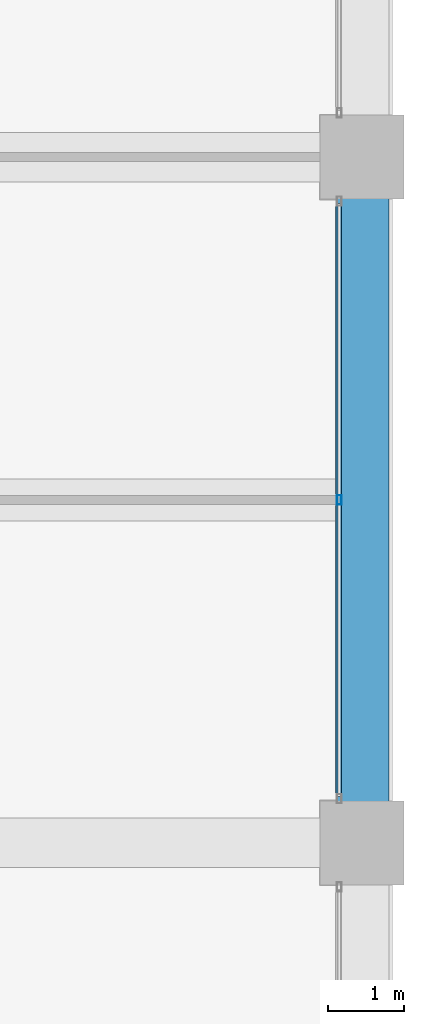
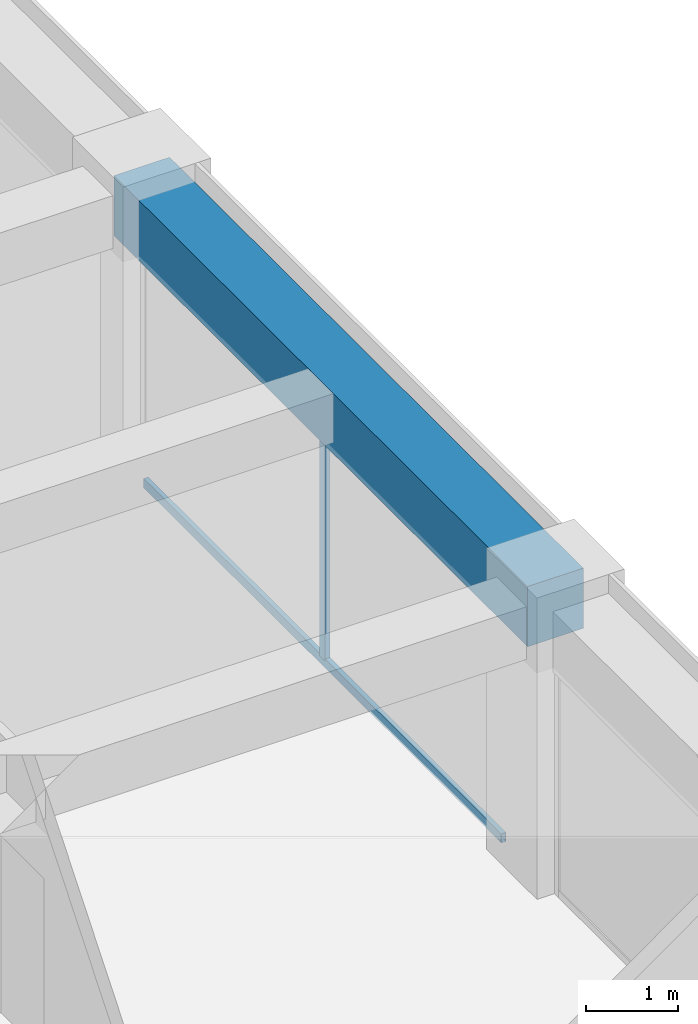
# One storey, part 25 of 44: 2 members, 1 beam, 1 element without a shape of its own.
"""IFC4 building model written with IfcOpenShell, lengths in metres."""

from ifc_helpers import new_model, si_unit, direction, frame, origin, origin_2d, place, context, subcontext, project, spatial, rectangle, hollow_rectangle, extrude, material, material_profile, profile_set, type_object, element, aggregate, save


model = new_model("IFC4")

# Units and contexts
model_context = context("Model", 3, precision=1e-05, world=origin(), true_north=direction((0.0, 1.0)))
body_context = subcontext(model_context, "Body", "Model", "MODEL_VIEW")
ifc_project = project(units=[si_unit("LENGTHUNIT", "METRE"), si_unit("AREAUNIT", "SQUARE_METRE"), si_unit("VOLUMEUNIT", "CUBIC_METRE"), si_unit("PLANEANGLEUNIT", "RADIAN"), si_unit("MASSUNIT", "GRAM", prefix="KILO")], contexts=[model_context])

# Site, building, storey
site_placement = place(None, origin())
site = spatial("IfcSite", under=ifc_project, at=site_placement, CompositionType="ELEMENT")
building_placement = place(site_placement, origin())
building = spatial("IfcBuilding", under=site, at=building_placement, Name="Zorevar Civic Tower", CompositionType="ELEMENT")
storey_placement = place(building_placement, frame((0.0, 0.0, 287.39990234375)))
storey = spatial("IfcBuildingStorey", under=building, at=storey_placement, Name="L70", CompositionType="ELEMENT", Elevation=287.39990234375)

# Curtain wall, members
ifc_material_1 = material(Name="Dark grey solar-control glass in black aluminium frame", Category="aluminium")
curtain_wall_type = type_object("IfcCurtainWallType", Name="Curtain wall CW5 top zone", PredefinedType="NOTDEFINED", material=ifc_material_1)
curtain_wall_placement = place(storey_placement, origin())
curtain_wall = element("IfcCurtainWall", 1, at=curtain_wall_placement, inside=storey, type_object=curtain_wall_type, Name="CW5 L70", PredefinedType="NOTDEFINED")
ifc_material_2 = material(Name="Aluminium, black anodised", Category="aluminium")
ifc_material_profile_1 = material_profile(ifc_material_2, hollow_rectangle(XDim=0.06005859375, YDim=0.1201171875, WallThickness=0.0029296875, at=origin_2d()), Name="AL 120x60x3")
ifc_profile_set_1 = profile_set([ifc_material_profile_1], Name="Aluminium, black anodised")
member_type_1 = type_object("IfcMemberType", Name="CW5 mullion AL 120x60x3", PredefinedType="MULLION", material=ifc_profile_set_1)
member_1_placement = place(storey_placement, frame((53.699951171875, 22.5, 0.06005859375), z_axis=(0.0, 0.0, 1.0), x_axis=(-1.0, 0.0, 0.0)))
member_1 = element("IfcMember", 2, at=member_1_placement, type_object=member_type_1, Name="CW5 mullion 2", PredefinedType="MULLION", context=body_context, shape_type="SweptSolid", body=[
    extrude(hollow_rectangle(XDim=0.06005859375, YDim=0.1201171875, WallThickness=0.0029296875, at=origin_2d()), origin(), (0.0, 0.0, 1.0), 2.89013671875),
])
ifc_material_3 = material(Name="Aluminium, black anodised", Category="aluminium")
ifc_material_profile_2 = material_profile(ifc_material_3, hollow_rectangle(XDim=0.06005859375, YDim=0.1201171875, WallThickness=0.0029296875, at=origin_2d()), Name="AL 120x60x3")
ifc_profile_set_2 = profile_set([ifc_material_profile_2], Name="Aluminium, black anodised")
member_type_2 = type_object("IfcMemberType", Name="CW5 transom AL 120x60x3", PredefinedType="USERDEFINED", material=ifc_profile_set_2)
member_2_placement = place(storey_placement, frame((53.699951171875, 18.610107421875, 0.030029296875), z_axis=(0.0, 1.0, 0.0), x_axis=(-1.0, 0.0, 0.0)))
member_2 = element("IfcMember", 3, at=member_2_placement, type_object=member_type_2, Name="CW5 sill transom", ObjectType="TRANSOM", PredefinedType="USERDEFINED", context=body_context, shape_type="SweptSolid", body=[
    extrude(hollow_rectangle(XDim=0.06005859375, YDim=0.1201171875, WallThickness=0.0029296875, at=origin_2d()), origin(), (0.0, 0.0, 1.0), 7.77978515625),
])
aggregate(curtain_wall, [member_1, member_2])

# Beam
ifc_material_4 = material(Name="Concrete C50/60", Category="concrete")
ifc_material_profile_3 = material_profile(ifc_material_4, rectangle(XDim=0.699951171875, YDim=0.800048828125, at=origin_2d()), Name="RC 700x800")
ifc_profile_set_3 = profile_set([ifc_material_profile_3], Name="Concrete C50/60")
beam_type = type_object("IfcBeamType", Name="Edge beam RC 700x800", PredefinedType="SPANDREL", material=ifc_profile_set_3)
beam_placement = place(storey_placement, frame((54.0, 18.0, 3.35009765625), z_axis=(0.0, 1.0, 0.0), x_axis=(-1.0, 0.0, 0.0)))
element("IfcBeam", 4, at=beam_placement, inside=storey, type_object=beam_type, Name="Edge beam L71", PredefinedType="SPANDREL", context=body_context, shape_type="SweptSolid", body=[
    extrude(rectangle(XDim=0.699951171875, YDim=0.800048828125, at=origin_2d()), origin(), (0.0, 0.0, 1.0), 9.0),
])

save(model, "model.ifc")
